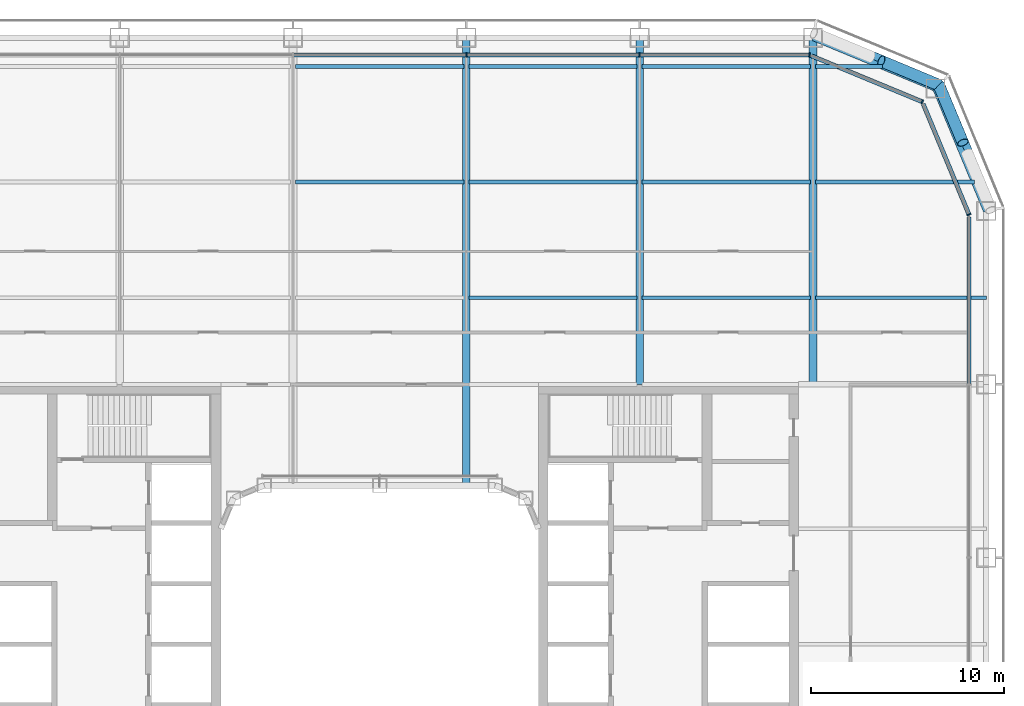
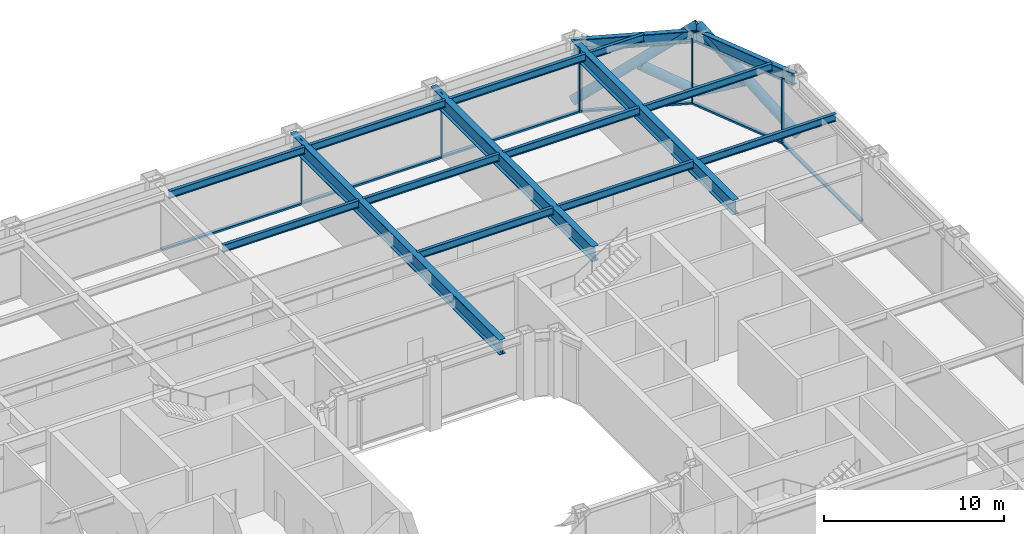
# One storey, part 10 of 27: 16 beams, 15 members, 4 elements without a shape of their own.
"""IFC4 building model written with IfcOpenShell, lengths in metres."""

from ifc_helpers import new_model, si_unit, direction, frame, origin, origin_2d, place, context, subcontext, project, spatial, rectangle, hollow_circle, i_section, extrude, material, layer, layer_set, material_profile, profile_set, type_object, element, aggregate, save


model = new_model("IFC4")

# Units and contexts
model_context = context("Model", 3, precision=1e-05, world=origin(), true_north=direction((0.0, 1.0)))
body_context = subcontext(model_context, "Body", "Model", "MODEL_VIEW")
ifc_project = project(units=[si_unit("LENGTHUNIT", "METRE"), si_unit("AREAUNIT", "SQUARE_METRE"), si_unit("VOLUMEUNIT", "CUBIC_METRE"), si_unit("PLANEANGLEUNIT", "RADIAN"), si_unit("MASSUNIT", "GRAM", prefix="KILO")], contexts=[model_context])

# Site, building, storey
site_placement = place(None, origin())
site = spatial("IfcSite", under=ifc_project, at=site_placement, CompositionType="ELEMENT")
building_placement = place(site_placement, origin())
building = spatial("IfcBuilding", under=site, at=building_placement, Name="Siwar Civic Tower", CompositionType="ELEMENT")
storey_placement = place(building_placement, frame((0.0, 0.0, 71.699951171875)))
storey = spatial("IfcBuildingStorey", under=building, at=storey_placement, Name="L15", CompositionType="ELEMENT", Elevation=71.699951171875)

# Curtain wall, member
ifc_material_1 = material(Name="Aluminium clad insulated panel", Category="aluminium")
ifc_layer_1 = layer(ifc_material_1, 0.219970703125)
ifc_layer_set_1 = layer_set([ifc_layer_1], Name="Aluminium clad insulated panel")
curtain_wall_type_1 = type_object("IfcCurtainWallType", Name="ENV-CW-AX", PredefinedType="NOTDEFINED", material=ifc_layer_set_1)
curtain_wall_1_placement = place(storey_placement, origin())
curtain_wall_1 = element("IfcCurtainWall", 1, at=curtain_wall_1_placement, inside=storey, type_object=curtain_wall_type_1, Name="Curtain wall A NE1", PredefinedType="NOTDEFINED")
ifc_material_2 = material(Name="Aluminium 6063-T6", Category="aluminium")
ifc_material_profile_1 = material_profile(ifc_material_2, rectangle(XDim=0.219970703125, YDim=0.070068359375, at=origin_2d()), Name="AL 220x70")
ifc_profile_set_1 = profile_set([ifc_material_profile_1], Name="Aluminium 6063-T6")
member_type_1 = type_object("IfcMemberType", Name="ENV-MULLION-A", PredefinedType="MULLION", material=ifc_profile_set_1)
member_1_placement = place(storey_placement, frame((30.60009765625, 22.321044921875, 0.0), z_axis=(0.0, 0.0, 1.0), x_axis=(-0.923879532511, -0.382683432365, 0.0)))
member_1 = element("IfcMember", 2, at=member_1_placement, type_object=member_type_1, Name="Mullion A NE1 1", PredefinedType="MULLION", context=body_context, shape_type="SweptSolid", body=[
    extrude(rectangle(XDim=0.219970703125, YDim=0.070068359375, at=origin_2d()), origin(), (0.0, 0.0, 1.0), 4.35009765625),
])

curtain_wall_2_placement = place(storey_placement, origin())
curtain_wall_2 = element("IfcCurtainWall", 3, at=curtain_wall_2_placement, inside=storey, type_object=curtain_wall_type_1, Name="Curtain wall A NE2", PredefinedType="NOTDEFINED")
member_2_placement = place(storey_placement, frame((28.175048828125, 28.175048828125, 0.0), z_axis=(0.0, 0.0, 1.0), x_axis=(-0.382683432365, -0.923879532511, 0.0)))
member_2 = element("IfcMember", 4, at=member_2_placement, type_object=member_type_1, Name="Mullion A NE2 1", PredefinedType="MULLION", context=body_context, shape_type="SweptSolid", body=[
    extrude(rectangle(XDim=0.219970703125, YDim=0.070068359375, at=origin_2d()), origin(), (0.0, 0.0, 1.0), 4.35009765625),
])

# Curtain wall, members
ifc_material_3 = material(Name="Aluminium and glass", Category="aluminium")
ifc_layer_2 = layer(ifc_material_3, 0.219970703125)
ifc_layer_set_2 = layer_set([ifc_layer_2], Name="Aluminium and glass")
curtain_wall_type_2 = type_object("IfcCurtainWallType", Name="ENV-CW-A", PredefinedType="NOTDEFINED", material=ifc_layer_set_2)
curtain_wall_3_placement = place(storey_placement, origin())
curtain_wall_3 = element("IfcCurtainWall", 5, at=curtain_wall_3_placement, inside=storey, type_object=curtain_wall_type_2, Name="Curtain wall A N", PredefinedType="NOTDEFINED")
member_3_placement = place(storey_placement, frame((22.321044921875, 30.60009765625, 0.0), z_axis=(0.0, 0.0, 1.0), x_axis=(0.0, -1.0, 0.0)))
member_3 = element("IfcMember", 6, at=member_3_placement, type_object=member_type_1, Name="Mullion A N 1", PredefinedType="MULLION", context=body_context, shape_type="SweptSolid", body=[
    extrude(rectangle(XDim=0.219970703125, YDim=0.070068359375, at=origin_2d()), origin(), (0.0, 0.0, 1.0), 4.35009765625),
])
member_4_placement = place(storey_placement, frame((13.5, 30.60009765625, 0.0), z_axis=(0.0, 0.0, 1.0), x_axis=(0.0, -1.0, 0.0)))
member_4 = element("IfcMember", 7, at=member_4_placement, type_object=member_type_1, Name="Mullion A N 2", PredefinedType="MULLION", context=body_context, shape_type="SweptSolid", body=[
    extrude(rectangle(XDim=0.219970703125, YDim=0.070068359375, at=origin_2d()), origin(), (0.0, 0.0, 1.0), 4.35009765625),
])
member_5_placement = place(storey_placement, frame((4.5, 30.60009765625, 0.0), z_axis=(0.0, 0.0, 1.0), x_axis=(0.0, -1.0, 0.0)))
member_5 = element("IfcMember", 8, at=member_5_placement, type_object=member_type_1, Name="Mullion A N 3", PredefinedType="MULLION", context=body_context, shape_type="SweptSolid", body=[
    extrude(rectangle(XDim=0.219970703125, YDim=0.070068359375, at=origin_2d()), origin(), (0.0, 0.0, 1.0), 4.35009765625),
])

# Curtain wall, member
curtain_wall_4_placement = place(storey_placement, origin())
curtain_wall_4 = element("IfcCurtainWall", 9, at=curtain_wall_4_placement, inside=storey, type_object=curtain_wall_type_2, Name="Curtain wall A E", PredefinedType="NOTDEFINED")
ifc_material_4 = material(Name="Aluminium 6063-T6", Category="aluminium")
ifc_material_profile_2 = material_profile(ifc_material_4, rectangle(XDim=0.219970703125, YDim=0.1201171875, at=origin_2d()), Name="AL 220x120")
ifc_profile_set_2 = profile_set([ifc_material_profile_2], Name="Aluminium 6063-T6")
member_type_2 = type_object("IfcMemberType", Name="ENV-TRANSOM-A", PredefinedType="USERDEFINED", material=ifc_profile_set_2)
member_6_placement = place(storey_placement, frame((30.60009765625, 13.534912109375, 0.06005859375), z_axis=(0.0, 1.0, 0.0), x_axis=(-1.0, 0.0, 0.0)))
member_6 = element("IfcMember", 10, at=member_6_placement, type_object=member_type_2, Name="Transom A E 5", ObjectType="TRANSOM", PredefinedType="USERDEFINED", context=body_context, shape_type="SweptSolid", body=[
    extrude(rectangle(XDim=0.219970703125, YDim=0.1201171875, at=origin_2d()), origin(), (0.0, 0.0, 1.0), 8.66357421875),
])
aggregate(curtain_wall_4, [member_6])

# Member
member_7_placement = place(storey_placement, frame((30.586669921875, 22.353271484375, 0.06005859375), z_axis=(-0.382698415042, 0.923873326341, 0.0), x_axis=(-0.923873326341, -0.382698415042, 0.0)))
member_7 = element("IfcMember", 11, at=member_7_placement, type_object=member_type_2, Name="Transom A NE1 1", ObjectType="TRANSOM", PredefinedType="USERDEFINED", context=body_context, shape_type="SweptSolid", body=[
    extrude(rectangle(XDim=0.219970703125, YDim=0.1201171875, at=origin_2d()), origin(), (0.0, 0.0, 1.0), 6.17919921875),
])

aggregate(curtain_wall_1, [member_1, member_7])

member_8_placement = place(storey_placement, frame((28.142822265625, 28.1884765625, 0.06005859375), z_axis=(-0.923873326341, 0.382698415042, 0.0), x_axis=(-0.382698415042, -0.923873326341, 0.0)))
member_8 = element("IfcMember", 12, at=member_8_placement, type_object=member_type_2, Name="Transom A NE2 1", ObjectType="TRANSOM", PredefinedType="USERDEFINED", context=body_context, shape_type="SweptSolid", body=[
    extrude(rectangle(XDim=0.219970703125, YDim=0.1201171875, at=origin_2d()), origin(), (0.0, 0.0, 1.0), 6.17919921875),
])

aggregate(curtain_wall_2, [member_2, member_8])

member_9_placement = place(storey_placement, frame((22.285888671875, 30.60009765625, 0.06005859375), z_axis=(-1.0, 0.0, 0.0), x_axis=(0.0, -1.0, 0.0)))
member_9 = element("IfcMember", 13, at=member_9_placement, type_object=member_type_2, Name="Transom A N 1", ObjectType="TRANSOM", PredefinedType="USERDEFINED", context=body_context, shape_type="SweptSolid", body=[
    extrude(rectangle(XDim=0.219970703125, YDim=0.1201171875, at=origin_2d()), origin(), (0.0, 0.0, 1.0), 8.7509765625),
])

member_10_placement = place(storey_placement, frame((13.465087890625, 30.60009765625, 0.06005859375), z_axis=(-1.0, 0.0, 0.0), x_axis=(0.0, -1.0, 0.0)))
member_10 = element("IfcMember", 14, at=member_10_placement, type_object=member_type_2, Name="Transom A N 2", ObjectType="TRANSOM", PredefinedType="USERDEFINED", context=body_context, shape_type="SweptSolid", body=[
    extrude(rectangle(XDim=0.219970703125, YDim=0.1201171875, at=origin_2d()), origin(), (0.0, 0.0, 1.0), 8.93017578125),
])

member_11_placement = place(storey_placement, frame((4.465087890625, 30.60009765625, 0.06005859375), z_axis=(-1.0, 0.0, 0.0), x_axis=(0.0, -1.0, 0.0)))
member_11 = element("IfcMember", 15, at=member_11_placement, type_object=member_type_2, Name="Transom A N 3", ObjectType="TRANSOM", PredefinedType="USERDEFINED", context=body_context, shape_type="SweptSolid", body=[
    extrude(rectangle(XDim=0.219970703125, YDim=0.1201171875, at=origin_2d()), origin(), (0.0, 0.0, 1.0), 8.93017578125),
])

aggregate(curtain_wall_3, [member_3, member_4, member_5, member_9, member_10, member_11])

# Members
ifc_material_5 = material(Name="Steel S355", Category="steel")
ifc_material_profile_3 = material_profile(ifc_material_5, hollow_circle(Radius=0.304931640625, WallThickness=0.030029296875, at=origin_2d()), Name="CHS610x30")
ifc_profile_set_3 = profile_set([ifc_material_profile_3], Name="Steel S355")
member_type_3 = type_object("IfcMemberType", Name="STR-BR-CHS610x30", PredefinedType="BRACE", material=ifc_profile_set_3)
member_12_placement = place(storey_placement, frame((22.548828125, 31.7451171875, 0.0), z_axis=(0.777554562952, -0.323905527954, 0.538975055633), x_axis=(0.384538969033, 0.923108759191, 0.0)))
element("IfcMember", 16, at=member_12_placement, inside=storey, type_object=member_type_3, Name="L15/brc/ANE1-14-0-1", PredefinedType="BRACE", context=body_context, shape_type="SweptSolid", body=[
    extrude(hollow_circle(Radius=0.304931640625, WallThickness=0.030029296875, at=origin_2d()), origin(), (0.0, 0.0, 1.0), 8.34912109375),
])
member_13_placement = place(storey_placement, frame((29.040771484375, 29.040771484375, 0.0), z_axis=(-0.777542179573, 0.323922979564, 0.53898243227), x_axis=(-0.384561842466, -0.923099230484, 0.0)))
element("IfcMember", 17, at=member_13_placement, inside=storey, type_object=member_type_3, Name="L15/brc/ANE1-14-0-2", PredefinedType="BRACE", context=body_context, shape_type="SweptSolid", body=[
    extrude(hollow_circle(Radius=0.304931640625, WallThickness=0.030029296875, at=origin_2d()), origin(), (0.0, 0.0, 1.0), 3.84375),
])
member_14_placement = place(storey_placement, frame((31.7451171875, 22.548828125, 0.0), z_axis=(-0.323905527954, 0.777554562952, 0.538975055633), x_axis=(-0.923108759191, -0.384538969033, 0.0)))
element("IfcMember", 18, at=member_14_placement, inside=storey, type_object=member_type_3, Name="L15/brc/ANE1-14-0-0", PredefinedType="BRACE", context=body_context, shape_type="SweptSolid", body=[
    extrude(hollow_circle(Radius=0.304931640625, WallThickness=0.030029296875, at=origin_2d()), origin(), (0.0, 0.0, 1.0), 8.34912109375),
])
member_15_placement = place(storey_placement, frame((29.040771484375, 29.040771484375, 0.0), z_axis=(0.323922979564, -0.777542179573, 0.53898243227), x_axis=(0.923099230484, 0.384561842466, 0.0)))
element("IfcMember", 19, at=member_15_placement, inside=storey, type_object=member_type_3, Name="L15/brc/ANE1-14-0-4", PredefinedType="BRACE", context=body_context, shape_type="SweptSolid", body=[
    extrude(hollow_circle(Radius=0.304931640625, WallThickness=0.030029296875, at=origin_2d()), origin(), (0.0, 0.0, 1.0), 3.84375),
])

# Beams
ifc_material_6 = material(Name="Steel S355", Category="steel")
ifc_material_profile_4 = material_profile(ifc_material_6, i_section(OverallWidth=0.199951171875, OverallDepth=0.5, WebThickness=0.01025390625, FlangeThickness=0.01611328125, FilletRadius=0.02099609375, at=origin_2d()), Name="IPE500")
ifc_profile_set_4 = profile_set([ifc_material_profile_4], Name="Steel S355")
beam_type_1 = type_object("IfcBeamType", Name="STR-FB-IPE500", PredefinedType="JOIST", material=ifc_profile_set_4)
for number, where, z_axis, x_axis, name in (
    (20, (4.6298828125, 18.0, 4.10009765625), (1.0, 0.0, 0.0), (0.0, 1.0, 0.0), "L15/bm/F050"),
    (21, (13.6298828125, 18.0, 4.10009765625), (1.0, 0.0, 0.0), (0.0, 1.0, 0.0), "L15/bm/F051"),
):
    element("IfcBeam", number, at=place(storey_placement, frame(where, z_axis=z_axis, x_axis=x_axis)), inside=storey, type_object=beam_type_1, Name=name, PredefinedType="JOIST", context=body_context, shape_type="SweptSolid", body=[
        extrude(i_section(OverallWidth=0.199951171875, OverallDepth=0.5, WebThickness=0.01025390625, FlangeThickness=0.01611328125, FilletRadius=0.02099609375, at=origin_2d()), origin(), (0.0, 0.0, 1.0), 8.740234375),
    ])
beam_1_placement = place(storey_placement, frame((22.6298828125, 18.0, 4.10009765625), z_axis=(1.0, 0.0, 0.0), x_axis=(0.0, 1.0, 0.0)))
element("IfcBeam", 22, at=beam_1_placement, inside=storey, type_object=beam_type_1, Name="L15/bm/F052", PredefinedType="JOIST", context=body_context, shape_type="SweptSolid", body=[
    extrude(i_section(OverallWidth=0.199951171875, OverallDepth=0.5, WebThickness=0.01025390625, FlangeThickness=0.01611328125, FilletRadius=0.02099609375, at=origin_2d()), origin(), (0.0, 0.0, 1.0), 8.8701171875),
])
for number, where, z_axis, x_axis, name in (
    (23, (-4.3701171875, 24.0, 4.10009765625), (1.0, 0.0, 0.0), (0.0, 1.0, 0.0), "L15/bm/F056"),
    (24, (4.6298828125, 24.0, 4.10009765625), (1.0, 0.0, 0.0), (0.0, 1.0, 0.0), "L15/bm/F057"),
    (25, (13.6298828125, 24.0, 4.10009765625), (1.0, 0.0, 0.0), (0.0, 1.0, 0.0), "L15/bm/F058"),
):
    element("IfcBeam", number, at=place(storey_placement, frame(where, z_axis=z_axis, x_axis=x_axis)), inside=storey, type_object=beam_type_1, Name=name, PredefinedType="JOIST", context=body_context, shape_type="SweptSolid", body=[
        extrude(i_section(OverallWidth=0.199951171875, OverallDepth=0.5, WebThickness=0.01025390625, FlangeThickness=0.01611328125, FilletRadius=0.02099609375, at=origin_2d()), origin(), (0.0, 0.0, 1.0), 8.740234375),
    ])
beam_2_placement = place(storey_placement, frame((22.6298828125, 24.0, 4.10009765625), z_axis=(1.0, 0.0, 0.0), x_axis=(0.0, 1.0, 0.0)))
element("IfcBeam", 26, at=beam_2_placement, inside=storey, type_object=beam_type_1, Name="L15/bm/F059", PredefinedType="JOIST", context=body_context, shape_type="SweptSolid", body=[
    extrude(i_section(OverallWidth=0.199951171875, OverallDepth=0.5, WebThickness=0.01025390625, FlangeThickness=0.01611328125, FilletRadius=0.02099609375, at=origin_2d()), origin(), (0.0, 0.0, 1.0), 8.248779296875),
])
for number, where, z_axis, x_axis, name in (
    (27, (-4.3701171875, 30.0, 4.10009765625), (1.0, 0.0, 0.0), (0.0, 1.0, 0.0), "L15/bm/F063"),
    (28, (4.6298828125, 30.0, 4.10009765625), (1.0, 0.0, 0.0), (0.0, 1.0, 0.0), "L15/bm/F064"),
    (29, (13.6298828125, 30.0, 4.10009765625), (1.0, 0.0, 0.0), (0.0, 1.0, 0.0), "L15/bm/F065"),
):
    element("IfcBeam", number, at=place(storey_placement, frame(where, z_axis=z_axis, x_axis=x_axis)), inside=storey, type_object=beam_type_1, Name=name, PredefinedType="JOIST", context=body_context, shape_type="SweptSolid", body=[
        extrude(i_section(OverallWidth=0.199951171875, OverallDepth=0.5, WebThickness=0.01025390625, FlangeThickness=0.01611328125, FilletRadius=0.02099609375, at=origin_2d()), origin(), (0.0, 0.0, 1.0), 8.740234375),
    ])
beam_3_placement = place(storey_placement, frame((22.6298828125, 30.0, 4.10009765625), z_axis=(1.0, 0.0, 0.0), x_axis=(0.0, 1.0, 0.0)))
element("IfcBeam", 30, at=beam_3_placement, inside=storey, type_object=beam_type_1, Name="L15/bm/F066", PredefinedType="JOIST", context=body_context, shape_type="SweptSolid", body=[
    extrude(i_section(OverallWidth=0.199951171875, OverallDepth=0.5, WebThickness=0.01025390625, FlangeThickness=0.01611328125, FilletRadius=0.02099609375, at=origin_2d()), origin(), (0.0, 0.0, 1.0), 3.491455078125),
])
ifc_material_7 = material(Name="Steel S355", Category="steel")
ifc_material_profile_5 = material_profile(ifc_material_7, i_section(OverallWidth=0.39990234375, OverallDepth=1.0, WebThickness=0.01611328125, FlangeThickness=0.0400390625, at=origin_2d()), Name="PG1000x400x16x40")
ifc_profile_set_5 = profile_set([ifc_material_profile_5], Name="Steel S355")
beam_type_2 = type_object("IfcBeamType", Name="STR-PG-PG1000x400x16x40", PredefinedType="BEAM", material=ifc_profile_set_5)
beam_4_placement = place(storey_placement, frame((4.5, 8.25, 3.85009765625), z_axis=(0.0, 1.0, 0.0), x_axis=(-1.0, 0.0, 0.0)))
element("IfcBeam", 31, at=beam_4_placement, inside=storey, type_object=beam_type_2, Name="L15/bm/G08", PredefinedType="BEAM", context=body_context, shape_type="SweptSolid", body=[
    extrude(i_section(OverallWidth=0.39990234375, OverallDepth=1.0, WebThickness=0.01611328125, FlangeThickness=0.0400390625, at=origin_2d()), origin(), (0.0, 0.0, 1.0), 23.25),
])
for number, where, z_axis, x_axis, name in (
    (32, (13.5, 13.5, 3.85009765625), (0.0, 1.0, 0.0), (-1.0, 0.0, 0.0), "L15/bm/G10"),
    (33, (22.5, 13.5, 3.85009765625), (0.0, 1.0, 0.0), (-1.0, 0.0, 0.0), "L15/bm/G12"),
):
    element("IfcBeam", number, at=place(storey_placement, frame(where, z_axis=z_axis, x_axis=x_axis)), inside=storey, type_object=beam_type_2, Name=name, PredefinedType="BEAM", context=body_context, shape_type="SweptSolid", body=[
        extrude(i_section(OverallWidth=0.39990234375, OverallDepth=1.0, WebThickness=0.01611328125, FlangeThickness=0.0400390625, at=origin_2d()), origin(), (0.0, 0.0, 1.0), 18.0),
    ])
ifc_material_8 = material(Name="Steel S355", Category="steel")
ifc_material_profile_6 = material_profile(ifc_material_8, i_section(OverallWidth=0.302978515625, OverallDepth=0.81396484375, WebThickness=0.02099609375, FlangeThickness=0.0400390625, FilletRadius=0.030029296875, at=origin_2d()), Name="HEM800")
ifc_profile_set_6 = profile_set([ifc_material_profile_6], Name="Steel S355")
beam_type_3 = type_object("IfcBeamType", Name="STR-SB-HEM800", PredefinedType="BEAM", material=ifc_profile_set_6)
for number, where, z_axis, x_axis, name in (
    (34, (31.5, 22.5, 3.943115234375), (-0.382674207535, 0.923883353507, 0.0), (-0.923883353507, -0.382674207535, 0.0), "L15/bm/SNE1-0"),
    (35, (28.864013671875, 28.864013671875, 3.943115234375), (-0.923883353507, 0.382674207535, 0.0), (-0.382674207535, -0.923883353507, 0.0), "L15/bm/SNE2-0"),
):
    element("IfcBeam", number, at=place(storey_placement, frame(where, z_axis=z_axis, x_axis=x_axis)), inside=storey, type_object=beam_type_3, Name=name, PredefinedType="BEAM", context=body_context, shape_type="SweptSolid", body=[
        extrude(i_section(OverallWidth=0.302978515625, OverallDepth=0.81396484375, WebThickness=0.02099609375, FlangeThickness=0.0400390625, FilletRadius=0.030029296875, at=origin_2d()), origin(), (0.0, 0.0, 1.0), 6.888427734375),
    ])

save(model, "model.ifc")
